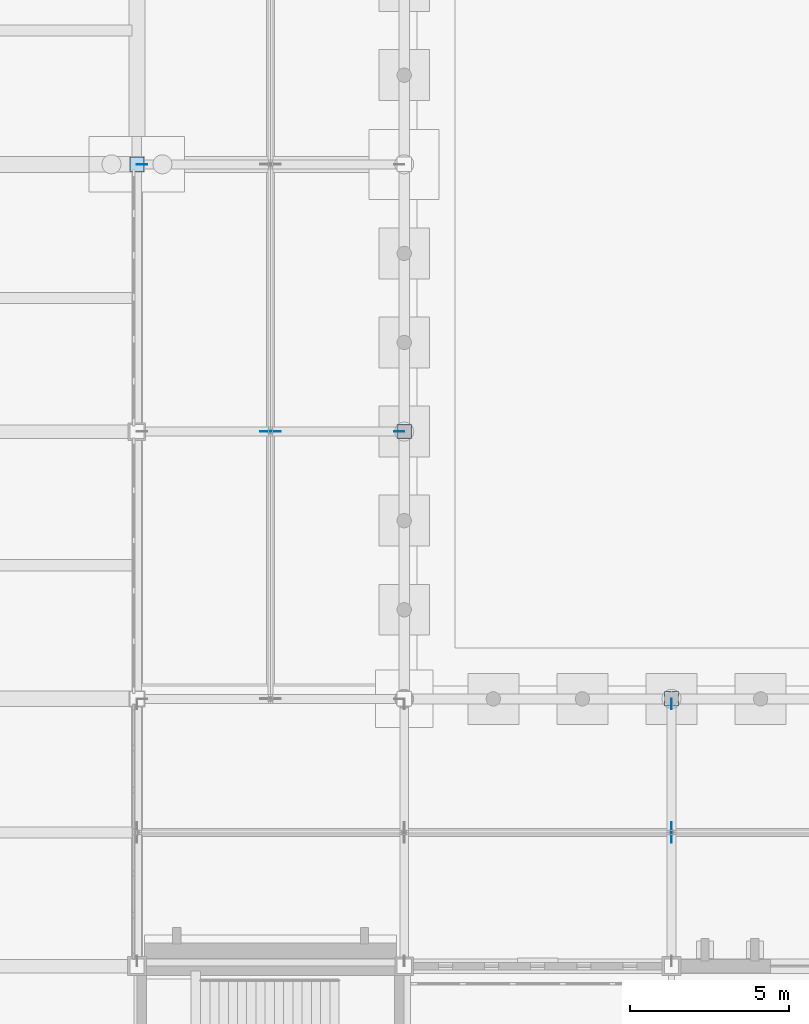
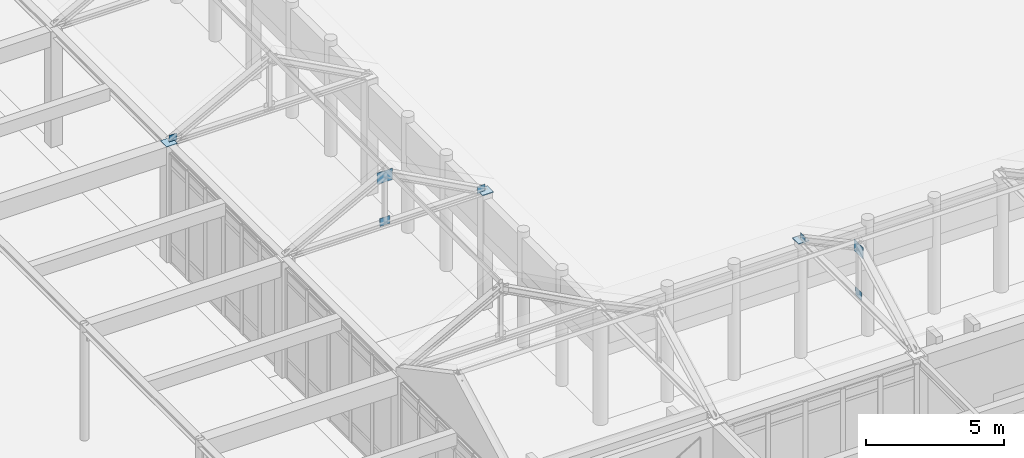
# One storey, part 92 of 143: 10 plates.
"""IFC4 building model written with IfcOpenShell, lengths in metres."""

from ifc_helpers import new_model, si_unit, direction, frame, origin, origin_2d, place, context, subcontext, project, spatial, rectangle, extrude, material, layer, layer_set, type_object, element, save


model = new_model("IFC4")

# Units and contexts
model_context = context("Model", 3, precision=1e-05, world=origin(), true_north=direction((0.0, 1.0)))
body_context = subcontext(model_context, "Body", "Model", "MODEL_VIEW")
ifc_project = project(units=[si_unit("LENGTHUNIT", "METRE"), si_unit("AREAUNIT", "SQUARE_METRE"), si_unit("VOLUMEUNIT", "CUBIC_METRE"), si_unit("PLANEANGLEUNIT", "RADIAN"), si_unit("MASSUNIT", "GRAM", prefix="KILO")], contexts=[model_context])

# Site, building, storey
site_placement = place(None, origin())
site = spatial("IfcSite", under=ifc_project, at=site_placement, CompositionType="ELEMENT")
building_placement = place(site_placement, origin())
building = spatial("IfcBuilding", under=site, at=building_placement, Name="Kveldsbrygga Polytechnic", CompositionType="ELEMENT")
storey_placement = place(building_placement, origin())
storey = spatial("IfcBuildingStorey", under=building, at=storey_placement, Name="L00", CompositionType="ELEMENT", Elevation=0.0)

# Plates
ifc_material = material(Name="Steel S355", Category="steel")
ifc_layer_1 = layer(ifc_material, 0.030029296875)
ifc_layer_set_1 = layer_set([ifc_layer_1], Name="Steel S355")
plate_type_1 = type_object("IfcPlateType", Name="CAP-BEAR-450", PredefinedType="SHEET", material=ifc_layer_set_1)
for number, where, z_axis, x_axis, name in (
    (1, (92.39990234375, 33.60009765625, 5.10986328125), (0.0, 0.0, 1.0), (1.0, 0.0, 0.0), "Truss Bearing Plate ARC-ES-T03-B"),
    (2, (84.0, 42.0, 5.10986328125), (0.0, 0.0, 1.0), (1.0, 0.0, 0.0), "Truss Bearing Plate ARC-EW-T02-B"),
    (3, (75.60009765625, 50.39990234375, 5.10986328125), (0.0, 0.0, 1.0), (1.0, 0.0, 0.0), "Truss Bearing Plate ARC-EW-T03-A"),
):
    element("IfcPlate", number, at=place(storey_placement, frame(where, z_axis=z_axis, x_axis=x_axis)), inside=storey, type_object=plate_type_1, Name=name, PredefinedType="SHEET", context=body_context, shape_type="SweptSolid", body=[
        extrude(rectangle(XDim=0.449951171875, YDim=0.449951171875, at=origin_2d()), origin(), (0.0, 0.0, 1.0), 0.030029296875),
    ])
ifc_layer_2 = layer(ifc_material, 0.02490234375)
ifc_layer_set_2 = layer_set([ifc_layer_2], Name="Steel S355")
plate_type_2 = type_object("IfcPlateType", Name="GUS-APEX-650", PredefinedType="SHEET", material=ifc_layer_set_2)
plate_1_placement = place(storey_placement, frame((92.39990234375, 29.39990234375, 6.989990234375), z_axis=(0.0, 0.0, 1.0), x_axis=(1.0, 0.0, 0.0)))
element("IfcPlate", 4, at=plate_1_placement, inside=storey, type_object=plate_type_2, Name="Truss Gusset Plate ARC-ES-T03-GP-1", PredefinedType="SHEET", context=body_context, shape_type="SweptSolid", body=[
    extrude(rectangle(XDim=0.02490234375, YDim=0.64990234375, at=origin_2d()), origin(), (0.0, 0.0, 1.0), 0.5),
])
plate_2_placement = place(storey_placement, frame((79.800048828125, 42.0, 6.989990234375), z_axis=(0.0, 0.0, 1.0), x_axis=(1.0, 0.0, 0.0)))
element("IfcPlate", 5, at=plate_2_placement, inside=storey, type_object=plate_type_2, Name="Truss Gusset Plate ARC-EW-T02-GP-1", PredefinedType="SHEET", context=body_context, shape_type="SweptSolid", body=[
    extrude(rectangle(XDim=0.64990234375, YDim=0.02490234375, at=origin_2d()), origin(), (0.0, 0.0, 1.0), 0.5),
])
ifc_layer_3 = layer(ifc_material, 0.01806640625)
ifc_layer_set_3 = layer_set([ifc_layer_3], Name="Steel S355")
plate_type_3 = type_object("IfcPlateType", Name="GUS-BRACE-320", PredefinedType="SHEET", material=ifc_layer_set_3)
plate_3_placement = place(storey_placement, frame((92.39990234375, 33.43994140625, 5.10009765625), z_axis=(0.0, 0.0, 1.0), x_axis=(1.0, 0.0, 0.0)))
element("IfcPlate", 6, at=plate_3_placement, inside=storey, type_object=plate_type_3, Name="Truss Eaves Node Gusset ARC-ES-T03-EGP-B", PredefinedType="SHEET", context=body_context, shape_type="SweptSolid", body=[
    extrude(rectangle(XDim=0.01806640625, YDim=0.320068359375, at=origin_2d()), origin(), (0.0, 0.0, 1.0), 0.320068359375),
])
for number, where, z_axis, x_axis, name in (
    (7, (83.840087890625, 42.0, 5.10009765625), (0.0, 0.0, 1.0), (1.0, 0.0, 0.0), "Truss Eaves Node Gusset ARC-EW-T02-EGP-B"),
    (8, (75.760009765625, 50.39990234375, 5.10009765625), (0.0, 0.0, 1.0), (1.0, 0.0, 0.0), "Truss Eaves Node Gusset ARC-EW-T03-EGP-A"),
):
    element("IfcPlate", number, at=place(storey_placement, frame(where, z_axis=z_axis, x_axis=x_axis)), inside=storey, type_object=plate_type_3, Name=name, PredefinedType="SHEET", context=body_context, shape_type="SweptSolid", body=[
        extrude(rectangle(XDim=0.320068359375, YDim=0.01806640625, at=origin_2d()), origin(), (0.0, 0.0, 1.0), 0.320068359375),
    ])
ifc_layer_4 = layer(ifc_material, 0.02001953125)
ifc_layer_set_4 = layer_set([ifc_layer_4], Name="Steel S355")
plate_type_4 = type_object("IfcPlateType", Name="GUS-LECT-420", PredefinedType="SHEET", material=ifc_layer_set_4)
plate_4_placement = place(storey_placement, frame((92.39990234375, 29.39990234375, 5.0849609375), z_axis=(0.0, 0.0, 1.0), x_axis=(1.0, 0.0, 0.0)))
element("IfcPlate", 9, at=plate_4_placement, inside=storey, type_object=plate_type_4, Name="Truss Bottom-Chord Node Gusset ARC-ES-T03-BGP-1", PredefinedType="SHEET", context=body_context, shape_type="SweptSolid", body=[
    extrude(rectangle(XDim=0.02001953125, YDim=0.419921875, at=origin_2d()), origin(), (0.0, 0.0, 1.0), 0.35009765625),
])
plate_5_placement = place(storey_placement, frame((79.800048828125, 42.0, 5.0849609375), z_axis=(0.0, 0.0, 1.0), x_axis=(1.0, 0.0, 0.0)))
element("IfcPlate", 10, at=plate_5_placement, inside=storey, type_object=plate_type_4, Name="Truss Bottom-Chord Node Gusset ARC-EW-T02-BGP-1", PredefinedType="SHEET", context=body_context, shape_type="SweptSolid", body=[
    extrude(rectangle(XDim=0.419921875, YDim=0.02001953125, at=origin_2d()), origin(), (0.0, 0.0, 1.0), 0.35009765625),
])

save(model, "model.ifc")
